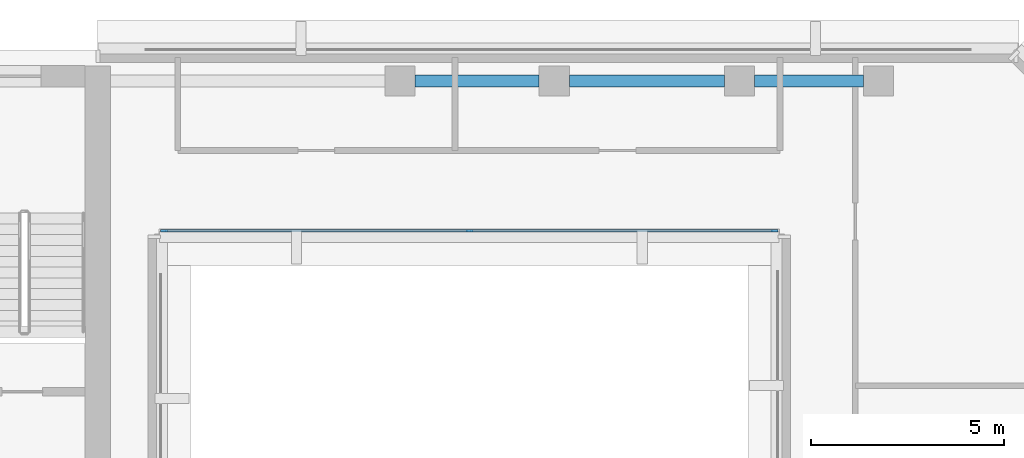
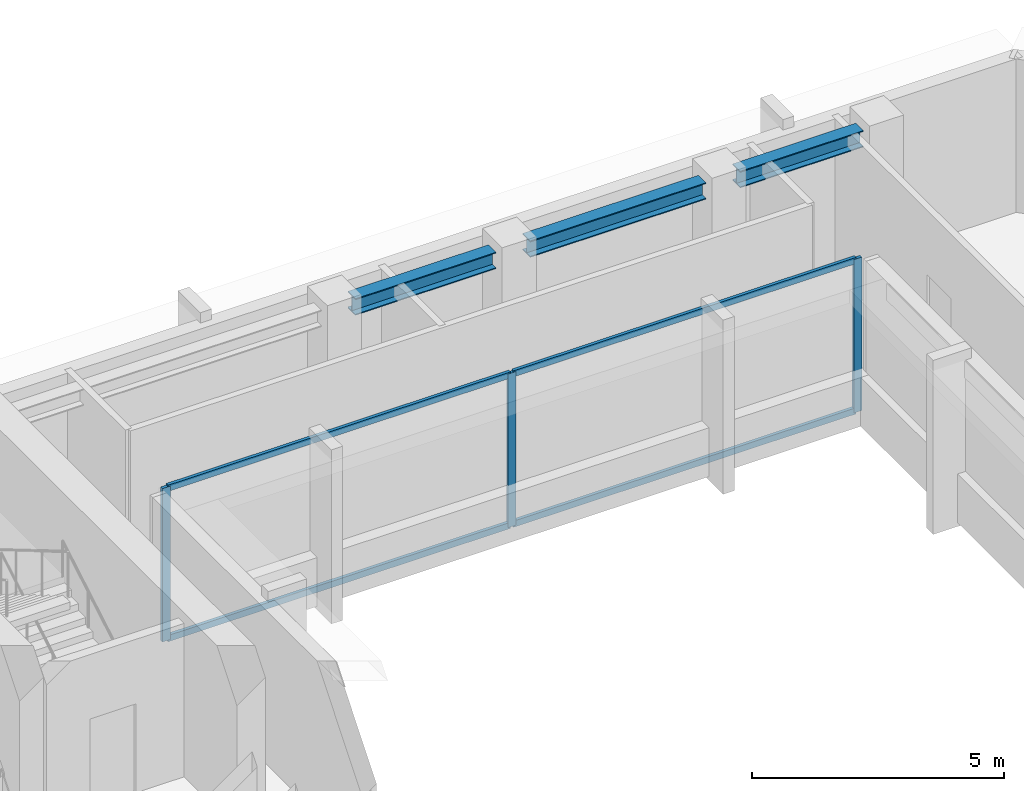
# One storey, part 4 of 11: 7 members, 3 beams, 1 element without a shape of its own.
"""IFC4 building model written with IfcOpenShell, lengths in metres."""

from ifc_helpers import new_model, si_unit, direction, frame, origin, origin_2d, place, context, subcontext, project, spatial, rectangle, i_section, extrude, material, layer, layer_set, material_profile, profile_set, type_object, element, aggregate, save


model = new_model("IFC4")

# Units and contexts
model_context = context("Model", 3, precision=1e-05, world=origin(), true_north=direction((0.0, 1.0)))
body_context = subcontext(model_context, "Body", "Model", "MODEL_VIEW")
ifc_project = project(units=[si_unit("LENGTHUNIT", "METRE"), si_unit("AREAUNIT", "SQUARE_METRE"), si_unit("VOLUMEUNIT", "CUBIC_METRE"), si_unit("PLANEANGLEUNIT", "RADIAN"), si_unit("MASSUNIT", "GRAM", prefix="KILO")], contexts=[model_context])

# Site, building, storey
site_placement = place(None, origin())
site = spatial("IfcSite", under=ifc_project, at=site_placement, CompositionType="ELEMENT")
building_placement = place(site_placement, origin())
building = spatial("IfcBuilding", under=site, at=building_placement, Name="Kefirva Bronze Tower", CompositionType="ELEMENT")
storey_placement = place(building_placement, frame((0.0, 0.0, 239.580078125)))
storey = spatial("IfcBuildingStorey", under=building, at=storey_placement, Name="L58", CompositionType="ELEMENT", Elevation=239.580078125)

# Curtain wall, members
ifc_material_1 = material(Name="Bronze anodised aluminium", Category="aluminium")
ifc_layer = layer(ifc_material_1, 0.179931640625, Name="Bronze anodised aluminium")
ifc_layer_set = layer_set([ifc_layer], Name="Bronze anodised aluminium")
curtain_wall_type = type_object("IfcCurtainWallType", Name="Unitised Bronze Ribbon Curtain Wall Zone 3", PredefinedType="USERDEFINED", material=ifc_layer_set)
curtain_wall_placement = place(storey_placement, origin())
curtain_wall = element("IfcCurtainWall", 1, at=curtain_wall_placement, inside=storey, type_object=curtain_wall_type, Name="L58 Curtain Wall 2", ObjectType="UNITISED CURTAIN WALL", PredefinedType="USERDEFINED")
ifc_material_profile_1 = material_profile(ifc_material_1, rectangle(XDim=0.074951171875, YDim=0.179931640625, at=origin_2d()), Name="ALU 75x180")
ifc_profile_set_1 = profile_set([ifc_material_profile_1], Name="Bronze anodised aluminium")
member_type_1 = type_object("IfcMemberType", Name="Bronze Mullion 75x180", PredefinedType="MULLION", material=ifc_profile_set_1)
member_1_placement = place(storey_placement, frame((25.092529296875, 41.320068359375, 0.0), z_axis=(0.0, 0.0, 1.0), x_axis=(0.0, 1.0, 0.0)))
member_1 = element("IfcMember", 2, at=member_1_placement, type_object=member_type_1, Name="CW-03 mullion 1", PredefinedType="MULLION", context=body_context, shape_type="SweptSolid", body=[
    extrude(rectangle(XDim=0.074951171875, YDim=0.179931640625, at=origin_2d()), origin(), (0.0, 0.0, 1.0), 3.7099609375),
])
member_2_placement = place(storey_placement, frame((33.0, 41.320068359375, 0.0), z_axis=(0.0, 0.0, 1.0), x_axis=(0.0, 1.0, 0.0)))
member_2 = element("IfcMember", 3, at=member_2_placement, type_object=member_type_1, Name="CW-03 mullion 2", PredefinedType="MULLION", context=body_context, shape_type="SweptSolid", body=[
    extrude(rectangle(XDim=0.074951171875, YDim=0.179931640625, at=origin_2d()), origin(), (0.0, 0.0, 1.0), 3.7099609375),
])
member_3_placement = place(storey_placement, frame((40.907470703125, 41.320068359375, 0.0), z_axis=(0.0, 0.0, 1.0), x_axis=(0.0, 1.0, 0.0)))
member_3 = element("IfcMember", 4, at=member_3_placement, type_object=member_type_1, Name="CW-03 mullion 3", PredefinedType="MULLION", context=body_context, shape_type="SweptSolid", body=[
    extrude(rectangle(XDim=0.074951171875, YDim=0.179931640625, at=origin_2d()), origin(), (0.0, 0.0, 1.0), 3.7099609375),
])
ifc_material_profile_2 = material_profile(ifc_material_1, rectangle(XDim=0.074951171875, YDim=0.14990234375, at=origin_2d()), Name="ALU 75x150")
ifc_profile_set_2 = profile_set([ifc_material_profile_2], Name="Bronze anodised aluminium")
member_type_2 = type_object("IfcMemberType", Name="Bronze Transom 75x150", PredefinedType="USERDEFINED", material=ifc_profile_set_2)
member_4_placement = place(storey_placement, frame((25.1298828125, 41.320068359375, 0.037353515625), z_axis=(1.0, 0.0, 0.0), x_axis=(0.0, 1.0, 0.0)))
member_4 = element("IfcMember", 5, at=member_4_placement, type_object=member_type_2, Name="CW-03 transom 1.1", ObjectType="TRANSOM", PredefinedType="USERDEFINED", context=body_context, shape_type="SweptSolid", body=[
    extrude(rectangle(XDim=0.074951171875, YDim=0.14990234375, at=origin_2d()), origin(), (0.0, 0.0, 1.0), 7.83251953125),
])
member_5_placement = place(storey_placement, frame((25.1298828125, 41.320068359375, 3.67236328125), z_axis=(1.0, 0.0, 0.0), x_axis=(0.0, 1.0, 0.0)))
member_5 = element("IfcMember", 6, at=member_5_placement, type_object=member_type_2, Name="CW-03 transom 1.2", ObjectType="TRANSOM", PredefinedType="USERDEFINED", context=body_context, shape_type="SweptSolid", body=[
    extrude(rectangle(XDim=0.074951171875, YDim=0.14990234375, at=origin_2d()), origin(), (0.0, 0.0, 1.0), 7.83251953125),
])
member_6_placement = place(storey_placement, frame((33.03759765625, 41.320068359375, 0.037353515625), z_axis=(1.0, 0.0, 0.0), x_axis=(0.0, 1.0, 0.0)))
member_6 = element("IfcMember", 7, at=member_6_placement, type_object=member_type_2, Name="CW-03 transom 2.1", ObjectType="TRANSOM", PredefinedType="USERDEFINED", context=body_context, shape_type="SweptSolid", body=[
    extrude(rectangle(XDim=0.074951171875, YDim=0.14990234375, at=origin_2d()), origin(), (0.0, 0.0, 1.0), 7.83251953125),
])
member_7_placement = place(storey_placement, frame((33.03759765625, 41.320068359375, 3.67236328125), z_axis=(1.0, 0.0, 0.0), x_axis=(0.0, 1.0, 0.0)))
member_7 = element("IfcMember", 8, at=member_7_placement, type_object=member_type_2, Name="CW-03 transom 2.2", ObjectType="TRANSOM", PredefinedType="USERDEFINED", context=body_context, shape_type="SweptSolid", body=[
    extrude(rectangle(XDim=0.074951171875, YDim=0.14990234375, at=origin_2d()), origin(), (0.0, 0.0, 1.0), 7.83251953125),
])
aggregate(curtain_wall, [member_1, member_2, member_3, member_4, member_5, member_6, member_7])

# Beams
ifc_material_2 = material(Name="Steel S355", Category="steel")
ifc_material_profile_3 = material_profile(ifc_material_2, i_section(OverallWidth=0.300048828125, OverallDepth=0.39990234375, WebThickness=0.013427734375, FlangeThickness=0.02392578125, at=origin_2d()), Name="HEB 400")
ifc_profile_set_3 = profile_set([ifc_material_profile_3], Name="Steel S355")
beam_type = type_object("IfcBeamType", Name="Steel Spandrel HEB 400 Ext", PredefinedType="SPANDREL", material=ifc_profile_set_3)
beam_1_placement = place(storey_placement, frame((31.590087890625, 45.199951171875, 3.510009765625), z_axis=(1.0, 0.0, 0.0), x_axis=(0.0, 1.0, 0.0)))
element("IfcBeam", 9, at=beam_1_placement, inside=storey, type_object=beam_type, Name="L58 BM-L58-EW-31-452", PredefinedType="SPANDREL", context=body_context, shape_type="SweptSolid", body=[
    extrude(i_section(OverallWidth=0.300048828125, OverallDepth=0.39990234375, WebThickness=0.013427734375, FlangeThickness=0.02392578125, at=origin_2d()), origin(), (0.0, 0.0, 1.0), 3.219970703125),
])
beam_2_placement = place(storey_placement, frame((35.590087890625, 45.199951171875, 3.510009765625), z_axis=(1.0, 0.0, 0.0), x_axis=(0.0, 1.0, 0.0)))
element("IfcBeam", 10, at=beam_2_placement, inside=storey, type_object=beam_type, Name="L58 BM-L58-EW-35-452", PredefinedType="SPANDREL", context=body_context, shape_type="SweptSolid", body=[
    extrude(i_section(OverallWidth=0.300048828125, OverallDepth=0.39990234375, WebThickness=0.013427734375, FlangeThickness=0.02392578125, at=origin_2d()), origin(), (0.0, 0.0, 1.0), 4.02001953125),
])
beam_3_placement = place(storey_placement, frame((40.389892578125, 45.199951171875, 3.510009765625), z_axis=(1.0, 0.0, 0.0), x_axis=(0.0, 1.0, 0.0)))
element("IfcBeam", 11, at=beam_3_placement, inside=storey, type_object=beam_type, Name="L58 BM-L58-EW-40-452", PredefinedType="SPANDREL", context=body_context, shape_type="SweptSolid", body=[
    extrude(i_section(OverallWidth=0.300048828125, OverallDepth=0.39990234375, WebThickness=0.013427734375, FlangeThickness=0.02392578125, at=origin_2d()), origin(), (0.0, 0.0, 1.0), 2.820068359375),
])

save(model, "model.ifc")
